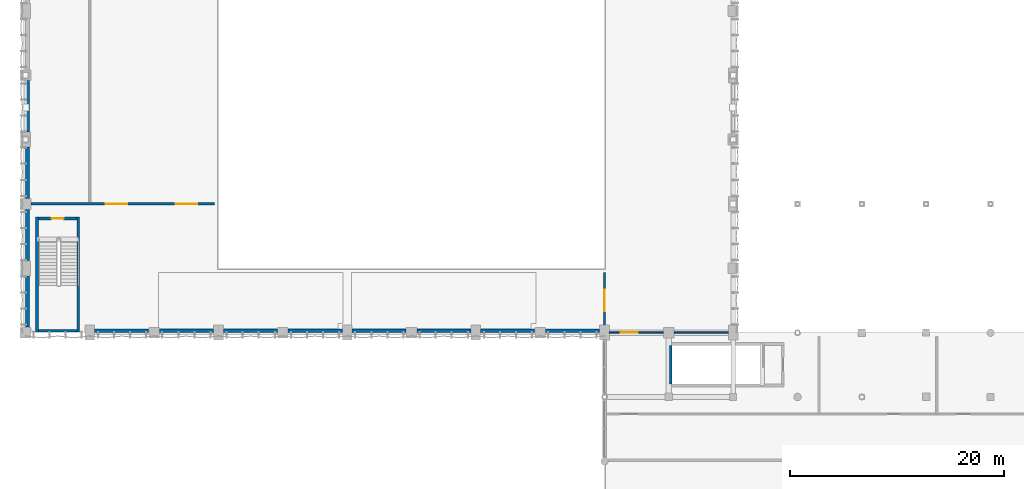
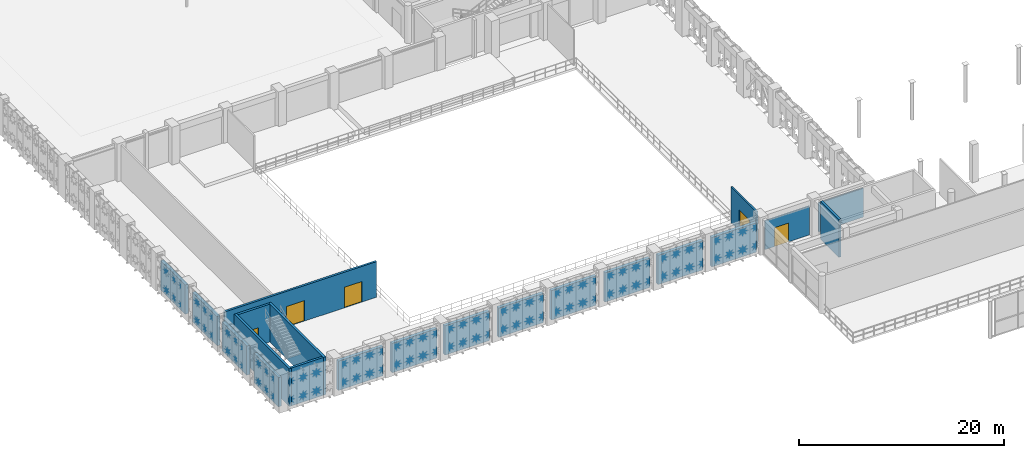
# One storey, part 87 of 116: 21 walls, 5 doors, 5 openings.
"""IFC4 building model written with IfcOpenShell, lengths in metres."""

from ifc_helpers import new_model, si_unit, direction, frame, frame_2d, origin, place, context, subcontext, project, spatial, rectangle, extrude, material, layer, layer_set, type_object, element, fill, save


model = new_model("IFC4")

# Units and contexts
model_context = context("Model", 3, precision=1e-05, world=origin(), true_north=direction((0.0, 1.0)))
body_context = subcontext(model_context, "Body", "Model", "MODEL_VIEW")
ifc_project = project(units=[si_unit("LENGTHUNIT", "METRE"), si_unit("AREAUNIT", "SQUARE_METRE"), si_unit("VOLUMEUNIT", "CUBIC_METRE"), si_unit("PLANEANGLEUNIT", "RADIAN"), si_unit("MASSUNIT", "GRAM", prefix="KILO"), si_unit("THERMODYNAMICTEMPERATUREUNIT", "KELVIN"), si_unit("POWERUNIT", "WATT")], contexts=[model_context])

# Site, building, storey
site_placement = place(None, origin())
site = spatial("IfcSite", under=ifc_project, at=site_placement, CompositionType="ELEMENT")
building_placement = place(site_placement, origin())
building = spatial("IfcBuilding", under=site, at=building_placement, Name="Phaisarnlok Congress Hotel", CompositionType="ELEMENT")
storey_placement = place(building_placement, frame((0.0, 0.0, 10.5)))
storey = spatial("IfcBuildingStorey", under=building, at=storey_placement, Name="L02", CompositionType="ELEMENT", Elevation=10.5)

# Walls
ifc_material_1 = material(Name="Concrete C40/50", Category="concrete")
ifc_layer_1 = layer(ifc_material_1, 0.360107421875, Name="Concrete C40/50")
ifc_layer_set_1 = layer_set([ifc_layer_1], Name="Concrete C40/50")
wall_type_1 = type_object("IfcWallType", Name="WL-EXT-360", PredefinedType="SOLIDWALL", material=ifc_layer_set_1)
for number, where, z_axis, x_axis, name in (
    (1, (0.179931640625, 65.4951171875, 0.0), (0.0, 0.0, 1.0), (0.0, -1.0, 0.0), "Exterior wall EW-01 (L02)"),
    (2, (0.179931640625, 59.294921875, 0.0), (0.0, 0.0, 1.0), (0.0, -1.0, 0.0), "Exterior wall EW-01 (L02)"),
    (3, (0.179931640625, 53.4951171875, 0.0), (0.0, 0.0, 1.0), (0.0, -1.0, 0.0), "Exterior wall EW-01 (L02)"),
    (4, (0.179931640625, 47.294921875, 0.0), (0.0, 0.0, 1.0), (0.0, -1.0, 0.0), "Exterior wall EW-01 (L02)"),
):
    element("IfcWall", number, at=place(storey_placement, frame(where, z_axis=z_axis, x_axis=x_axis)), inside=storey, type_object=wall_type_1, Name=name, PredefinedType="SOLIDWALL", context=body_context, shape_type="SweptSolid", body=[
        extrude(rectangle(XDim=4.7900390625, YDim=0.360107421875, at=frame_2d((2.39501953125, 0.0))), origin(), (0.0, 0.0, 1.0), 3.489990234375),
    ])
for number, where, z_axis, x_axis, name in (
    (5, (6.455078125, 42.179931640625, 0.0), (0.0, 0.0, 1.0), (1.0, 0.0, 0.0), "Exterior wall EW-01 (L02)"),
    (6, (12.5048828125, 42.179931640625, 0.0), (0.0, 0.0, 1.0), (1.0, 0.0, 0.0), "Exterior wall EW-01 (L02)"),
    (7, (18.455078125, 42.179931640625, 0.0), (0.0, 0.0, 1.0), (1.0, 0.0, 0.0), "Exterior wall EW-01 (L02)"),
    (8, (24.5048828125, 42.179931640625, 0.0), (0.0, 0.0, 1.0), (1.0, 0.0, 0.0), "Exterior wall EW-01 (L02)"),
    (9, (30.455078125, 42.179931640625, 0.0), (0.0, 0.0, 1.0), (1.0, 0.0, 0.0), "Exterior wall EW-01 (L02)"),
    (10, (36.5048828125, 42.179931640625, 0.0), (0.0, 0.0, 1.0), (1.0, 0.0, 0.0), "Exterior wall EW-01 (L02)"),
    (11, (42.455078125, 42.179931640625, 0.0), (0.0, 0.0, 1.0), (1.0, 0.0, 0.0), "Exterior wall EW-01 (L02)"),
    (12, (48.5048828125, 42.179931640625, 0.0), (0.0, 0.0, 1.0), (1.0, 0.0, 0.0), "Exterior wall EW-01 (L02)"),
):
    element("IfcWall", number, at=place(storey_placement, frame(where, z_axis=z_axis, x_axis=x_axis)), inside=storey, type_object=wall_type_1, Name=name, PredefinedType="SOLIDWALL", context=body_context, shape_type="SweptSolid", body=[
        extrude(rectangle(XDim=5.0400390625, YDim=0.360107421875, at=frame_2d((2.52001953125, 0.0))), origin(), (0.0, 0.0, 1.0), 3.489990234375),
    ])

# Wall, opening, door
ifc_material_2 = material(Name="Lightweight Metal-Stud Gypsum Partition", Category="gypsum")
ifc_layer_2 = layer(ifc_material_2, 0.1201171875, Name="Lightweight Metal-Stud Gypsum Partition")
ifc_layer_set_2 = layer_set([ifc_layer_2], Name="Lightweight Metal-Stud Gypsum Partition")
wall_type_2 = type_object("IfcWallType", Name="WL-INT-120", PredefinedType="PARTITIONING", material=ifc_layer_set_2)
wall_1_placement = place(storey_placement, frame((54.455078125, 42.0, 0.0), z_axis=(0.0, 0.0, 1.0), x_axis=(1.0, 0.0, 0.0)))
wall_1 = element("IfcWall", 13, at=wall_1_placement, inside=storey, type_object=wall_type_2, Name="Interior partition wall IW-07 (L02)", PredefinedType="PARTITIONING", context=body_context, shape_type="SweptSolid", body=[
    extrude(rectangle(XDim=5.0400390625, YDim=0.1201171875, at=frame_2d((2.52001953125, 0.0))), origin(), (0.0, 0.0, 1.0), 3.43994140625),
])
opening_1_placement = place(wall_1_placement, frame((1.06494140625, 0.0, 0.0)))
opening_1 = element("IfcOpeningElement", 14, at=opening_1_placement, cuts=wall_1, Name="Opening D-0103", PredefinedType="OPENING", context=body_context, shape_type="SweptSolid", body=[
    extrude(rectangle(XDim=1.60009765625, YDim=2.25, at=frame_2d((0.800048828125, 1.125))), frame((0.0, 0.070068359375, 0.0), z_axis=(0.0, -1.0, 0.0), x_axis=(1.0, 0.0, 0.0)), (0.0, 0.0, 1.0), 0.14013671875),
])
ifc_material_3 = material(Name="Frameless Tempered Acoustic Glass", Category="glass")
door_type_1 = type_object("IfcDoorType", Name="DR-GLZ-1600", OperationType="DOUBLE_DOOR_SINGLE_SWING", PredefinedType="DOOR", material=ifc_material_3)
door_1_placement = place(opening_1_placement, origin())
door_1 = element("IfcDoor", 15, at=door_1_placement, inside=storey, type_object=door_type_1, Name="Interior door D-0103 (L02)", OperationType="DOUBLE_DOOR_SINGLE_SWING", OverallHeight=2.25, OverallWidth=1.60009765625, PredefinedType="DOOR", context=body_context, shape_type="SweptSolid", body=[
    extrude(rectangle(XDim=1.60009765625, YDim=2.25, at=frame_2d((0.800048828125, 1.125))), frame((0.0, 0.02490234375, 0.0), z_axis=(0.0, -1.0, 0.0), x_axis=(1.0, 0.0, 0.0)), (0.0, 0.0, 1.0), 0.050048828125),
])
fill(opening_1, door_1)

# Wall
ifc_material_4 = material(Name="Moisture-Resistant Gypsum Partition", Category="gypsum")
ifc_layer_3 = layer(ifc_material_4, 0.135009765625, Name="Moisture-Resistant Gypsum Partition")
ifc_layer_set_3 = layer_set([ifc_layer_3], Name="Moisture-Resistant Gypsum Partition")
wall_type_3 = type_object("IfcWallType", Name="WL-INT-135", PredefinedType="PARTITIONING", material=ifc_layer_set_3)
wall_2_placement = place(storey_placement, frame((60.5048828125, 42.0, 0.0), z_axis=(0.0, 0.0, 1.0), x_axis=(1.0, 0.0, 0.0)))
element("IfcWall", 16, at=wall_2_placement, inside=storey, type_object=wall_type_3, Name="Interior partition wall IW-06 (L02)", PredefinedType="PARTITIONING", context=body_context, shape_type="SweptSolid", body=[
    extrude(rectangle(XDim=5.0400390625, YDim=0.135009765625, at=frame_2d((2.52001953125, 0.0))), origin(), (0.0, 0.0, 1.0), 3.43994140625),
])

# Wall, opening, door
ifc_material_5 = material(Name="Autoclaved Aerated Concrete Block", Category="concrete")
ifc_layer_4 = layer(ifc_material_5, 0.199951171875, Name="Autoclaved Aerated Concrete Block")
ifc_layer_set_4 = layer_set([ifc_layer_4], Name="Autoclaved Aerated Concrete Block")
wall_type_4 = type_object("IfcWallType", Name="WL-INT-200", PredefinedType="PARTITIONING", material=ifc_layer_set_4)
wall_3_placement = place(storey_placement, frame((54.0, 42.705078125, 0.0), z_axis=(0.0, 0.0, 1.0), x_axis=(0.0, 1.0, 0.0)))
wall_3 = element("IfcWall", 17, at=wall_3_placement, inside=storey, type_object=wall_type_4, Name="Interior partition wall IW-02 (L02)", PredefinedType="PARTITIONING", context=body_context, shape_type="SweptSolid", body=[
    extrude(rectangle(XDim=4.9248046875, YDim=0.199951171875, at=frame_2d((2.46240234375, 0.0))), origin(), (0.0, 0.0, 1.0), 4.239990234375),
])
opening_2_placement = place(wall_3_placement, frame((1.294921875, 0.0, 0.0)))
opening_2 = element("IfcOpeningElement", 18, at=opening_2_placement, cuts=wall_3, Name="Opening D-0085", PredefinedType="OPENING", context=body_context, shape_type="SweptSolid", body=[
    extrude(rectangle(XDim=2.0, YDim=2.449951171875, at=frame_2d((1.0, 1.22509765625))), frame((0.0, 0.10986328125, 0.0), z_axis=(0.0, -1.0, 0.0), x_axis=(1.0, 0.0, 0.0)), (0.0, 0.0, 1.0), 0.219970703125),
])
ifc_material_6 = material(Name="Acoustic Double-Seal Congress Door", Category="wood")
door_type_2 = type_object("IfcDoorType", Name="DR-HALL-2000", OperationType="DOUBLE_DOOR_SINGLE_SWING", PredefinedType="DOOR", material=ifc_material_6)
door_2_placement = place(opening_2_placement, origin())
door_2 = element("IfcDoor", 19, at=door_2_placement, inside=storey, type_object=door_type_2, Name="Interior door D-0085 (L02)", OperationType="DOUBLE_DOOR_SINGLE_SWING", OverallHeight=2.449951171875, OverallWidth=2.0, PredefinedType="DOOR", context=body_context, shape_type="SweptSolid", body=[
    extrude(rectangle(XDim=2.0, YDim=2.449951171875, at=frame_2d((1.0, 1.22509765625))), frame((0.0, 0.02490234375, 0.0), z_axis=(0.0, -1.0, 0.0), x_axis=(1.0, 0.0, 0.0)), (0.0, 0.0, 1.0), 0.050048828125),
])
fill(opening_2, door_2)

# Wall, openings, doors
ifc_layer_5 = layer(ifc_material_1, 0.239990234375, Name="Concrete C40/50")
ifc_layer_set_5 = layer_set([ifc_layer_5], Name="Concrete C40/50")
wall_type_5 = type_object("IfcWallType", Name="WL-INT-240", PredefinedType="PARTITIONING", material=ifc_layer_set_5)
wall_4_placement = place(storey_placement, frame((0.5048828125, 54.0, 0.0), z_axis=(0.0, 0.0, 1.0), x_axis=(1.0, 0.0, 0.0)))
wall_4 = element("IfcWall", 20, at=wall_4_placement, inside=storey, type_object=wall_type_5, Name="Interior partition wall IW-01 (L02)", PredefinedType="PARTITIONING", context=body_context, shape_type="SweptSolid", body=[
    extrude(rectangle(XDim=17.125, YDim=0.239990234375, at=frame_2d((8.5625, 0.0))), origin(), (0.0, 0.0, 1.0), 4.239990234375),
])
opening_3_placement = place(wall_4_placement, frame((13.4951171875, 0.0, 0.0)))
opening_3 = element("IfcOpeningElement", 21, at=opening_3_placement, cuts=wall_4, Name="Opening D-0084", PredefinedType="OPENING", context=body_context, shape_type="SweptSolid", body=[
    extrude(rectangle(XDim=2.0, YDim=2.449951171875, at=frame_2d((1.0, 1.22509765625))), frame((0.0, 0.1298828125, 0.0), z_axis=(0.0, -1.0, 0.0), x_axis=(1.0, 0.0, 0.0)), (0.0, 0.0, 1.0), 0.260009765625),
])
opening_4_placement = place(wall_4_placement, frame((6.9951171875, 0.0, 0.0)))
opening_4 = element("IfcOpeningElement", 22, at=opening_4_placement, cuts=wall_4, Name="Opening D-0102", PredefinedType="OPENING", context=body_context, shape_type="SweptSolid", body=[
    extrude(rectangle(XDim=2.0, YDim=2.449951171875, at=frame_2d((1.0, 1.22509765625))), frame((0.0, 0.1298828125, 0.0), z_axis=(0.0, -1.0, 0.0), x_axis=(1.0, 0.0, 0.0)), (0.0, 0.0, 1.0), 0.260009765625),
])
door_3_placement = place(opening_3_placement, origin())
door_3 = element("IfcDoor", 23, at=door_3_placement, inside=storey, type_object=door_type_2, Name="Interior door D-0084 (L02)", OperationType="DOUBLE_DOOR_SINGLE_SWING", OverallHeight=2.449951171875, OverallWidth=2.0, PredefinedType="DOOR", context=body_context, shape_type="SweptSolid", body=[
    extrude(rectangle(XDim=2.0, YDim=2.449951171875, at=frame_2d((1.0, 1.22509765625))), frame((0.0, 0.02490234375, 0.0), z_axis=(0.0, -1.0, 0.0), x_axis=(1.0, 0.0, 0.0)), (0.0, 0.0, 1.0), 0.050048828125),
])
fill(opening_3, door_3)
door_4_placement = place(opening_4_placement, origin())
door_4 = element("IfcDoor", 24, at=door_4_placement, inside=storey, type_object=door_type_2, Name="Interior door D-0102 (L02)", OperationType="DOUBLE_DOOR_SINGLE_SWING", OverallHeight=2.449951171875, OverallWidth=2.0, PredefinedType="DOOR", context=body_context, shape_type="SweptSolid", body=[
    extrude(rectangle(XDim=2.0, YDim=2.449951171875, at=frame_2d((1.0, 1.22509765625))), frame((0.0, 0.02490234375, 0.0), z_axis=(0.0, -1.0, 0.0), x_axis=(1.0, 0.0, 0.0)), (0.0, 0.0, 1.0), 0.050048828125),
])
fill(opening_4, door_4)

# Walls
ifc_material_7 = material(Name="Concrete C50/60", Category="concrete")
ifc_layer_6 = layer(ifc_material_7, 0.260009765625, Name="Concrete C50/60")
ifc_layer_set_6 = layer_set([ifc_layer_6], Name="Concrete C50/60")
wall_type_6 = type_object("IfcWallType", Name="WL-SHR-260", PredefinedType="SHEAR", material=ifc_layer_set_6)
wall_5_placement = place(storey_placement, frame((60.169921875, 37.199951171875, 0.0), z_axis=(0.0, 0.0, 1.0), x_axis=(0.0, 1.0, 0.0)))
element("IfcWall", 25, at=wall_5_placement, inside=storey, type_object=wall_type_6, Name="Stair shaft shear wall SW-04 (STAIR-POD-S L02)", PredefinedType="SHEAR", context=body_context, shape_type="SweptSolid", body=[
    extrude(rectangle(XDim=3.60009765625, YDim=0.260009765625, at=frame_2d((1.800048828125, 0.0))), origin(), (0.0, 0.0, 1.0), 4.5),
])
for number, where, z_axis, x_axis, name in (
    (26, (1.070068359375, 42.0400390625, 0.0), (0.0, 0.0, 1.0), (0.0, 1.0, 0.0), "Stair shaft shear wall SW-04 (STAIR-W L02)"),
    (27, (4.929931640625, 42.0400390625, 0.0), (0.0, 0.0, 1.0), (0.0, 1.0, 0.0), "Stair shaft shear wall SW-04 (STAIR-W L02)"),
):
    element("IfcWall", number, at=place(storey_placement, frame(where, z_axis=z_axis, x_axis=x_axis)), inside=storey, type_object=wall_type_6, Name=name, PredefinedType="SHEAR", context=body_context, shape_type="SweptSolid", body=[
        extrude(rectangle(XDim=10.719970703125, YDim=0.260009765625, at=frame_2d((5.35986328125, 0.0))), origin(), (0.0, 0.0, 1.0), 4.5),
    ])

# Wall, opening, door
wall_6_placement = place(storey_placement, frame((1.199951171875, 52.6298828125, 0.0), z_axis=(0.0, 0.0, 1.0), x_axis=(1.0, 0.0, 0.0)))
wall_6 = element("IfcWall", 28, at=wall_6_placement, inside=storey, type_object=wall_type_6, Name="Stair shaft shear wall SW-04 (STAIR-W L02)", PredefinedType="SHEAR", context=body_context, shape_type="SweptSolid", body=[
    extrude(rectangle(XDim=3.60009765625, YDim=0.260009765625, at=frame_2d((1.800048828125, 0.0))), origin(), (0.0, 0.0, 1.0), 4.5),
])
opening_5_placement = place(wall_6_placement, frame((1.25, 0.0, 0.0)))
opening_5 = element("IfcOpeningElement", 29, at=opening_5_placement, cuts=wall_6, Name="Opening FD-167", PredefinedType="OPENING", context=body_context, shape_type="SweptSolid", body=[
    extrude(rectangle(XDim=1.10009765625, YDim=2.14990234375, at=frame_2d((0.550048828125, 1.074951171875))), frame((0.0, 0.14013671875, 0.0), z_axis=(0.0, -1.0, 0.0), x_axis=(1.0, 0.0, 0.0)), (0.0, 0.0, 1.0), 0.280029296875),
])
ifc_material_8 = material(Name="Fire-Rated Steel Frame & Timber Leaf", Category="steel")
door_type_3 = type_object("IfcDoorType", Name="DR-FD60-1100", OperationType="NOTDEFINED", PredefinedType="DOOR", material=ifc_material_8)
door_5_placement = place(opening_5_placement, origin())
door_5 = element("IfcDoor", 30, at=door_5_placement, inside=storey, type_object=door_type_3, Name="Stair enclosure fire door FD-167 (L02)", OperationType="SINGLE_SWING_RIGHT", OverallHeight=2.14990234375, OverallWidth=1.10009765625, PredefinedType="DOOR", context=body_context, shape_type="SweptSolid", body=[
    extrude(rectangle(XDim=1.10009765625, YDim=2.14990234375, at=frame_2d((0.550048828125, 1.074951171875))), frame((0.0, 0.02490234375, 0.0), z_axis=(0.0, -1.0, 0.0), x_axis=(1.0, 0.0, 0.0)), (0.0, 0.0, 1.0), 0.050048828125),
])
fill(opening_5, door_5)

# Wall
ifc_layer_7 = layer(ifc_material_7, 0.260009765625, Name="Concrete C50/60")
ifc_layer_set_7 = layer_set([ifc_layer_7], Name="Concrete C50/60")
wall_type_7 = type_object("IfcWallType", Name="WL-SHR-260-EXT", PredefinedType="SHEAR", material=ifc_layer_set_7)
wall_7_placement = place(storey_placement, frame((1.199951171875, 42.169921875, 0.0), z_axis=(0.0, 0.0, 1.0), x_axis=(1.0, 0.0, 0.0)))
element("IfcWall", 31, at=wall_7_placement, inside=storey, type_object=wall_type_7, Name="Stair shaft shear wall SW-04E (STAIR-W L02)", PredefinedType="SHEAR", context=body_context, shape_type="SweptSolid", body=[
    extrude(rectangle(XDim=3.60009765625, YDim=0.260009765625, at=frame_2d((1.800048828125, 0.0))), origin(), (0.0, 0.0, 1.0), 4.5),
])

save(model, "model.ifc")
